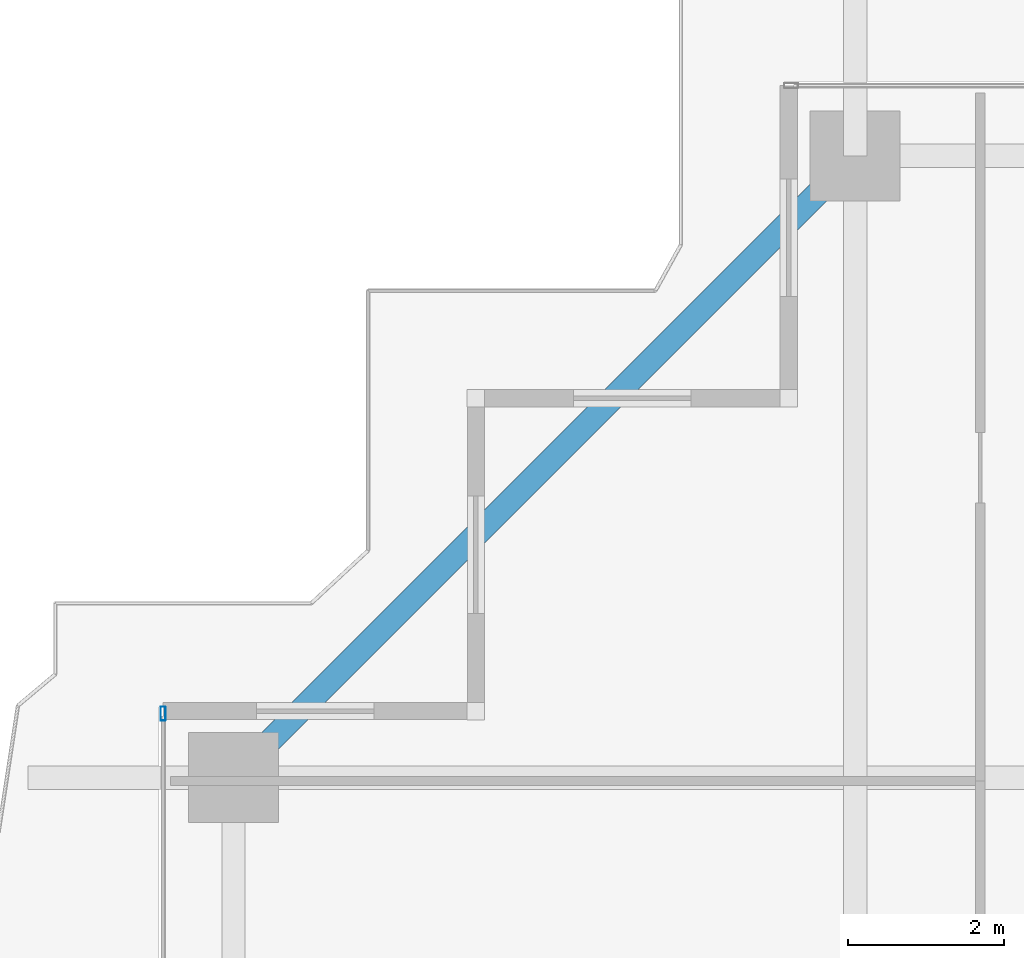
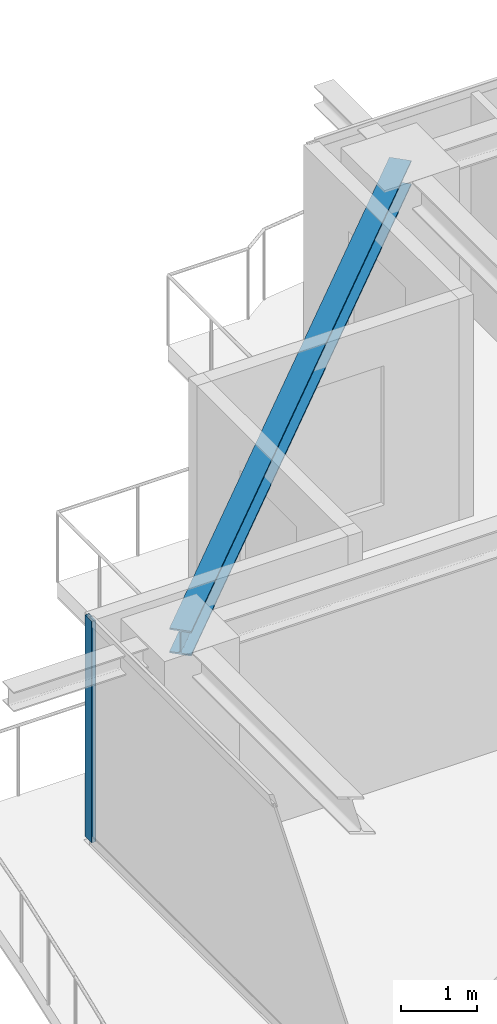
# One storey, part 19 of 39: 1 beam, 1 member, 1 element without a shape of its own.
"""IFC4 building model written with IfcOpenShell, lengths in metres."""

from ifc_helpers import new_model, si_unit, direction, frame, origin, origin_2d, place, context, subcontext, project, spatial, hollow_rectangle, i_section, extrude, source, transform, mapped, material, layer, layer_set, material_profile, profile_set, type_object, element, aggregate, save


model = new_model("IFC4")

# Units and contexts
model_context = context("Model", 3, precision=1e-05, world=origin(), true_north=direction((0.0, 1.0)))
body_context = subcontext(model_context, "Body", "Model", "MODEL_VIEW")
ifc_project = project(units=[si_unit("LENGTHUNIT", "METRE"), si_unit("AREAUNIT", "SQUARE_METRE"), si_unit("VOLUMEUNIT", "CUBIC_METRE"), si_unit("PLANEANGLEUNIT", "RADIAN"), si_unit("MASSUNIT", "GRAM", prefix="KILO")], contexts=[model_context])

# Site, building, storey
site_placement = place(None, origin())
site = spatial("IfcSite", under=ifc_project, at=site_placement, CompositionType="ELEMENT")
building_placement = place(site_placement, origin())
building = spatial("IfcBuilding", under=site, at=building_placement, Name="Serunith Strait Residences", CompositionType="ELEMENT")
storey_placement = place(building_placement, frame((0.0, 0.0, 222.0)))
storey = spatial("IfcBuildingStorey", under=building, at=storey_placement, Name="L55", CompositionType="ELEMENT", Elevation=222.0)

# Beam
ifc_material_1 = material(Name="Steel S355J2", Category="steel")
ifc_material_profile_1 = material_profile(ifc_material_1, i_section(OverallWidth=0.300048828125, OverallDepth=0.39990234375, WebThickness=0.013427734375, FlangeThickness=0.02392578125, FilletRadius=0.027099609375, at=origin_2d()), Name="HEB 400")
ifc_profile_set_1 = profile_set([ifc_material_profile_1], Name="Steel S355J2")
beam_type = type_object("IfcBeamType", Name="BM-HEB400", PredefinedType="BEAM", material=ifc_profile_set_1)
shared_shape_1 = source(origin(), body_context, "Body", "SweptSolid", [
    extrude(i_section(OverallWidth=0.300048828125, OverallDepth=0.39990234375, WebThickness=0.013427734375, FlangeThickness=0.02392578125, FilletRadius=0.027099609375, at=origin_2d()), origin(), (0.0, 0.0, 1.0), 11.242919921875),
])
beam_placement = place(storey_placement, frame((16.25, 48.300048828125, 3.35693359375), z_axis=(-0.707106781187, -0.707106781187, 0.0), x_axis=(0.707106781187, -0.707106781187, 0.0)))
element("IfcBeam", 1, at=beam_placement, inside=storey, type_object=beam_type, Name="L55 Perimeter Ring Beam 12", PredefinedType="BEAM", context=body_context, shape_type="MappedRepresentation", body=[
    mapped(shared_shape_1, transform((0.0, 0.0, 0.0), scale=1.0)),
])

# Curtain wall, member
ifc_material_2 = material(Name="Pale-Champagne Anodised Aluminium", Category="aluminium")
ifc_layer = layer(ifc_material_2, 0.199951171875, Name="Pale-Champagne Anodised Aluminium")
ifc_layer_set = layer_set([ifc_layer], Name="Pale-Champagne Anodised Aluminium")
curtain_wall_type = type_object("IfcCurtainWallType", Name="CW-SYS4", PredefinedType="NOTDEFINED", material=ifc_layer_set)
curtain_wall_placement = place(storey_placement, origin())
curtain_wall = element("IfcCurtainWall", 2, at=curtain_wall_placement, inside=storey, type_object=curtain_wall_type, Name="L55 W Unitised Fritted Curtain Wall", PredefinedType="NOTDEFINED")
ifc_material_profile_2 = material_profile(ifc_material_2, hollow_rectangle(XDim=0.06494140625, YDim=0.179931640625, WallThickness=0.00341796875, InnerFilletRadius=0.00537109375, OuterFilletRadius=0.0087890625, at=origin_2d()), Name="ALU 180x65x3.5")
ifc_profile_set_2 = profile_set([ifc_material_profile_2], Name="Pale-Champagne Anodised Aluminium")
member_type = type_object("IfcMemberType", Name="CW-SYS4-MULL", PredefinedType="MULLION", material=ifc_profile_set_2)
shared_shape_2 = source(origin(), body_context, "Body", "SweptSolid", [
    extrude(hollow_rectangle(XDim=0.06494140625, YDim=0.179931640625, WallThickness=0.00341796875, InnerFilletRadius=0.00537109375, OuterFilletRadius=0.0087890625, at=origin_2d()), origin(), (0.0, 0.0, 1.0), 3.574951171875),
])
member_placement = place(storey_placement, frame((7.39990234375, 41.16748046875, 0.0), z_axis=(0.0, 0.0, 1.0), x_axis=(1.0, 0.0, 0.0)))
member = element("IfcMember", 3, at=member_placement, type_object=member_type, Name="CW-4 mullion 1", PredefinedType="MULLION", context=body_context, shape_type="MappedRepresentation", body=[
    mapped(shared_shape_2, transform((0.0, 0.0, 0.0), scale=1.0)),
])
aggregate(curtain_wall, [member])

save(model, "model.ifc")
